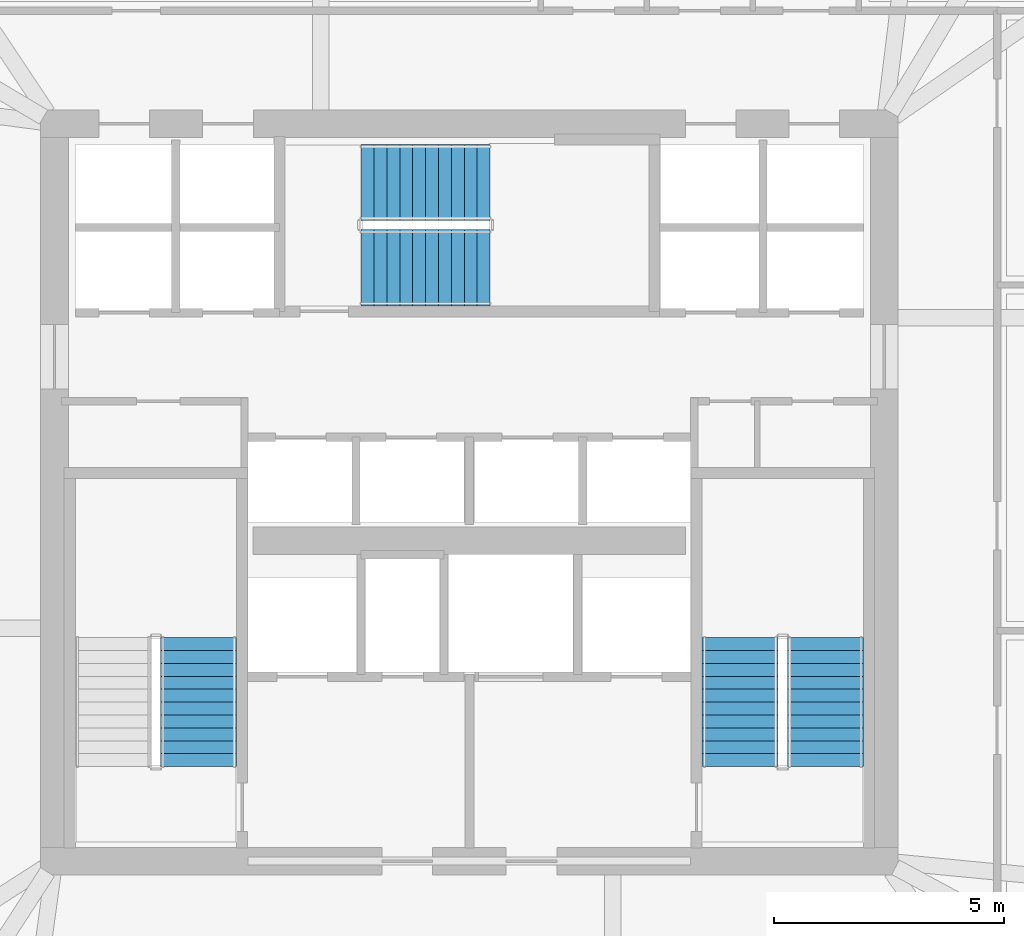
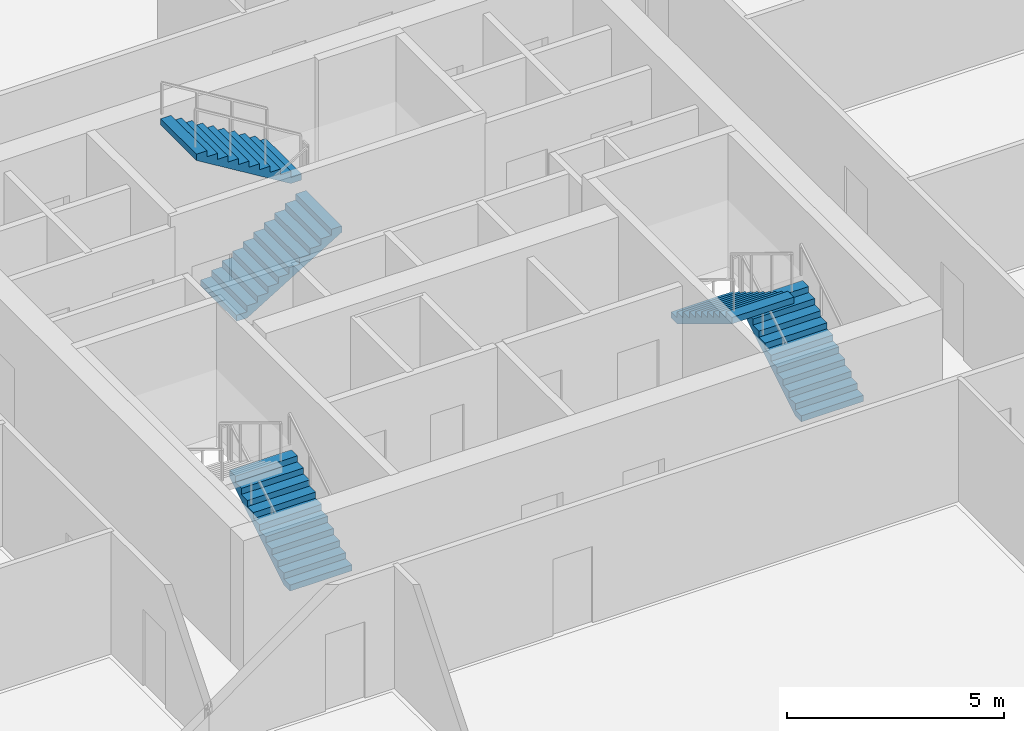
# One storey, part 28 of 33: 5 stair flights, 3 elements without a shape of their own.
"""IFC4 building model written with IfcOpenShell, lengths in metres."""

import ifcopenshell
import ifcopenshell.guid

model = None  # the IFC model being written
_history = None  # IfcOwnerHistory: only IFC2X3 demands one
_inside = {}  # id of a spatial element -> (the spatial element, [elements in it])
_under = {}  # id of a project, library or spatial element -> (it, [spatial elements below it])
_declared = {}  # id of a project -> (the project, [libraries it declares])
_typed = {}  # id of a type object -> (the type object, [elements of that type])
_made_of = {}  # id of a material, layer set ... -> (it, [elements and type objects made of it])


def new_model(schema):
    """Start an empty IFC model of exactly this schema.

    Asked for "IFC4X3", IfcOpenShell would pick the latest addendum, in which some entities
    have other attributes; the version numbers below select the first issue.
    IFC2X3 requires an IfcOwnerHistory on every rooted entity: one is made here for all.
    """
    global model, _history
    if schema == "IFC4X3":
        model = ifcopenshell.file(schema_version=(4, 3, 0, 0))
    else:
        model = ifcopenshell.file(schema=schema)
    _inside.clear()
    _under.clear()
    _declared.clear()
    _typed.clear()
    _made_of.clear()
    _history = None
    if model.schema == "IFC2X3":
        org = make("IfcOrganization", Name="unknown")
        user = make(
            "IfcPersonAndOrganization",
            ThePerson=make("IfcPerson", FamilyName="unknown"),
            TheOrganization=org,
        )
        app = make(
            "IfcApplication",
            ApplicationDeveloper=org,
            Version="unknown",
            ApplicationFullName="unknown",
            ApplicationIdentifier="unknown",
        )
        _history = make(
            "IfcOwnerHistory",
            OwningUser=user,
            OwningApplication=app,
            ChangeAction="ADDED",
            CreationDate=0,
        )
    return model


def make(cls, **values):
    """One entity of the class cls with the attributes given. An attribute that is None is left unset."""
    return model.create_entity(
        cls, **{name: value for name, value in values.items() if value is not None}
    )


def rooted(cls, **values):
    """An entity with a GlobalId (a new one), such as an element, a storey or a relation."""
    return make(cls, GlobalId=ifcopenshell.guid.new(), OwnerHistory=_history, **values)


def si_unit(unit_type, name, prefix=None):
    """IfcSIUnit, for example si_unit("LENGTHUNIT", "METRE", prefix="MILLI")."""
    return make("IfcSIUnit", UnitType=unit_type, Prefix=prefix, Name=name)


def assignment(units):
    """IfcUnitAssignment: the units of a project."""
    return None if units is None else make("IfcUnitAssignment", Units=units)


def point(xyz):
    """IfcCartesianPoint."""
    return None if xyz is None else make("IfcCartesianPoint", Coordinates=xyz)


def direction(xyz):
    """IfcDirection."""
    return None if xyz is None else make("IfcDirection", DirectionRatios=xyz)


def frame(location, z_axis=None, x_axis=None):
    """IfcAxis2Placement3D, a coordinate frame: its origin and axes. An axis left out is left unset."""
    return make(
        "IfcAxis2Placement3D",
        Location=point(location),
        Axis=direction(z_axis),
        RefDirection=direction(x_axis),
    )


def origin():
    """The frame at (0, 0, 0) with its axes left unset."""
    return frame((0.0, 0.0, 0.0))


def place(relative_to, where):
    """IfcLocalPlacement: puts the frame where relative to a parent placement (None: the world)."""
    return make(
        "IfcLocalPlacement", PlacementRelTo=relative_to, RelativePlacement=where
    )


def context(
    kind, dimensions, precision=None, world=None, true_north=None, identifier=None
):
    """IfcGeometricRepresentationContext, for example the 3D "Model" context."""
    return make(
        "IfcGeometricRepresentationContext",
        ContextIdentifier=identifier,
        ContextType=kind,
        CoordinateSpaceDimension=dimensions,
        Precision=precision,
        WorldCoordinateSystem=world,
        TrueNorth=true_north,
    )


def subcontext(parent, identifier, kind, view, scale=None):
    """IfcGeometricRepresentationSubContext, for example "Body" below "Model"."""
    return make(
        "IfcGeometricRepresentationSubContext",
        ContextIdentifier=identifier,
        ContextType=kind,
        ParentContext=parent,
        TargetScale=scale,
        TargetView=view,
    )


def project(units=None, contexts=None):
    """IfcProject with its units and contexts."""
    return rooted(
        "IfcProject",
        Name="project",
        RepresentationContexts=contexts,
        UnitsInContext=assignment(units),
    )


def spatial(cls, under=None, at=None, **own):
    """A site, building, storey or space (cls), placed at a placement, below another one or the project."""
    s = rooted(cls, ObjectPlacement=at, **own)
    if under is not None:
        _under.setdefault(under.id(), (under, []))[1].append(s)
    return s


def polyline(points):
    """IfcPolyline through the points."""
    return make("IfcPolyline", Points=[point(p) for p in points])


def outline(outer, holes=None, kind="AREA"):
    """IfcArbitraryClosedProfileDef: a profile drawn as a closed curve; with holes, ...WithVoids."""
    if holes is None:
        return make("IfcArbitraryClosedProfileDef", ProfileType=kind, OuterCurve=outer)
    return make(
        "IfcArbitraryProfileDefWithVoids",
        ProfileType=kind,
        OuterCurve=outer,
        InnerCurves=holes,
    )


def extrude(swept, where, along, depth):
    """IfcExtrudedAreaSolid: the profile swept, set in the frame where, extruded along a direction by depth."""
    return make(
        "IfcExtrudedAreaSolid",
        SweptArea=swept,
        Position=where,
        ExtrudedDirection=direction(along),
        Depth=depth,
    )


def shape(context_of_items, identifier, shape_type, items):
    """IfcShapeRepresentation: the items that make up one representation, for example the "Body"."""
    return make(
        "IfcShapeRepresentation",
        ContextOfItems=context_of_items,
        RepresentationIdentifier=identifier,
        RepresentationType=shape_type,
        Items=items,
    )


def material(Name=None, Category=None):
    """IfcMaterial."""
    return make("IfcMaterial", Name=Name, Category=Category)


def made_of(thing, what):
    """Note that an element or type object is made of a material, layer set ...; save() writes the relation."""
    if what is not None:
        _made_of.setdefault(what.id(), (what, []))[1].append(thing)
    return thing


def type_object(cls, material=None, **own):
    """A type object (cls), such as IfcWallType, which elements share."""
    return made_of(rooted(cls, **own), material)


def element(
    cls,
    number,
    at=None,
    inside=None,
    cuts=None,
    type_object=None,
    material=None,
    context=None,
    identifier="Body",
    shape_type=None,
    held_by="IfcProductDefinitionShape",
    body=None,
    shapes=None,
    **own,
):
    """One element of the class cls, such as IfcWall. Its Tag is "e" and its number.

    at: its placement. inside: the storey or other place that contains it. cuts: it is an
    opening in that element (IfcRelVoidsElement). A single representation is given by context,
    identifier, shape_type and body (its items); several are given by shapes. held_by: the class
    of the entity that holds the representations. save() writes the other relations.
    """
    e = rooted(cls, Tag="e%d" % number, ObjectPlacement=at, **own)
    if body is not None:
        shapes = [shape(context, identifier, shape_type, body)]
    if shapes is not None:
        e.Representation = make(held_by, Representations=shapes)
    if inside is not None:
        _inside.setdefault(inside.id(), (inside, []))[1].append(e)
    if cuts is not None:
        rooted(
            "IfcRelVoidsElement", RelatingBuildingElement=cuts, RelatedOpeningElement=e
        )
    if type_object is not None:
        _typed.setdefault(type_object.id(), (type_object, []))[1].append(e)
    return made_of(e, material)


def aggregate(whole, parts):
    """IfcRelAggregates: a whole, such as a stair, and the parts it consists of."""
    return rooted("IfcRelAggregates", RelatingObject=whole, RelatedObjects=parts)


def save(model, path):
    """Write the relations noted so far, then the file.

    IfcRelAggregates (storeys below a building ...), IfcRelContainedInSpatialStructure (elements
    in a storey), IfcRelDefinesByType, IfcRelAssociatesMaterial and IfcRelDeclares: one each for
    every whole, place, type object, material and project.
    """
    for whole, parts in _under.values():
        aggregate(whole, parts)
    for where, things in _inside.values():
        rooted(
            "IfcRelContainedInSpatialStructure",
            RelatedElements=things,
            RelatingStructure=where,
        )
    for kind, things in _typed.values():
        rooted("IfcRelDefinesByType", RelatedObjects=things, RelatingType=kind)
    for what, things in _made_of.values():
        rooted("IfcRelAssociatesMaterial", RelatedObjects=things, RelatingMaterial=what)
    for by, libraries in _declared.values():
        rooted("IfcRelDeclares", RelatingContext=by, RelatedDefinitions=libraries)
    model.write(path)


model = new_model("IFC4")

# Units and contexts
model_context = context("Model", 3, precision=1e-05, world=origin(), true_north=direction((0.0, 1.0)))
body_context = subcontext(model_context, "Body", "Model", "MODEL_VIEW")
ifc_project = project(units=[si_unit("LENGTHUNIT", "METRE"), si_unit("AREAUNIT", "SQUARE_METRE"), si_unit("VOLUMEUNIT", "CUBIC_METRE"), si_unit("PLANEANGLEUNIT", "RADIAN"), si_unit("MASSUNIT", "GRAM", prefix="KILO")], contexts=[model_context])

# Site, building, storey
site_placement = place(None, origin())
site = spatial("IfcSite", under=ifc_project, at=site_placement, CompositionType="ELEMENT")
building_placement = place(site_placement, origin())
building = spatial("IfcBuilding", under=site, at=building_placement, Name="Haldenkirk Collegiate Tower", CompositionType="ELEMENT")
storey_placement = place(building_placement, frame((0.0, 0.0, 58.949951171875)))
storey = spatial("IfcBuildingStorey", under=building, at=storey_placement, Name="L13", CompositionType="ELEMENT", Elevation=58.949951171875)

# Stair, stair flight
ifc_material = material(Name="Concrete f'c 40 MPa", Category="concrete")
stair_type = type_object("IfcStairType", Name="STR-DOGLEG-1650", PredefinedType="HALF_TURN_STAIR", material=ifc_material)
stair_1_placement = place(storey_placement, origin())
stair_1 = element("IfcStair", 1, at=stair_1_placement, inside=storey, type_object=stair_type, Name="L13 Core Exit Stair ST-1", PredefinedType="HALF_TURN_STAIR")
stair_flight_type = type_object("IfcStairFlightType", Name="STF-FLIGHT-1650", PredefinedType="STRAIGHT", material=ifc_material)
stair_flight_1_placement = place(storey_placement, frame((30.125, 20.050048828125, 0.0), z_axis=(0.0, 0.0, 1.0), x_axis=(0.0, 1.0, 0.0)))
stair_flight_1 = element("IfcStairFlight", 2, at=stair_flight_1_placement, type_object=stair_flight_type, Name="ST-1 flight 1", NumberOfRisers=11, NumberOfTreads=10, PredefinedType="STRAIGHT", RiserHeight=0.170454545, TreadLength=0.28, context=body_context, shape_type="SweptSolid", body=[
    extrude(outline(polyline([(0.0, 0.0), (0.0, 0.17041015625), (0.280029296875, 0.17041015625), (0.280029296875, 0.3408203125), (0.56005859375, 0.3408203125), (0.56005859375, 0.511474609375), (0.840087890625, 0.511474609375), (0.840087890625, 0.681884765625), (1.1201171875, 0.681884765625), (1.1201171875, 0.852294921875), (1.39990234375, 0.852294921875), (1.39990234375, 1.022705078125), (1.679931640625, 1.022705078125), (1.679931640625, 1.193115234375), (1.9599609375, 1.193115234375), (1.9599609375, 1.363525390625), (2.239990234375, 1.363525390625), (2.239990234375, 1.5341796875), (2.52001953125, 1.5341796875), (2.52001953125, 1.70458984375), (2.800048828125, 1.70458984375), (2.800048828125, 1.875), (2.800048828125, 1.529052734375), (0.288330078125, 0.0), (0.0, 0.0)])), frame((0.0, 0.824951171875, 0.0), z_axis=(0.0, -1.0, 0.0), x_axis=(1.0, 0.0, 0.0)), (0.0, 0.0, 1.0), 1.64990234375),
])
aggregate(stair_1, [stair_flight_1])

# Stair, stair flights
stair_2_placement = place(storey_placement, origin())
stair_2 = element("IfcStair", 3, at=stair_2_placement, inside=storey, type_object=stair_type, Name="L13 Core Exit Stair ST-2", PredefinedType="HALF_TURN_STAIR")
stair_flight_2_placement = place(storey_placement, frame((43.72509765625, 20.050048828125, 0.0), z_axis=(0.0, 0.0, 1.0), x_axis=(0.0, 1.0, 0.0)))
stair_flight_2 = element("IfcStairFlight", 4, at=stair_flight_2_placement, type_object=stair_flight_type, Name="ST-2 flight 1", NumberOfRisers=11, NumberOfTreads=10, PredefinedType="STRAIGHT", RiserHeight=0.170454545, TreadLength=0.28, context=body_context, shape_type="SweptSolid", body=[
    extrude(outline(polyline([(0.0, 0.0), (0.0, 0.17041015625), (0.280029296875, 0.17041015625), (0.280029296875, 0.3408203125), (0.56005859375, 0.3408203125), (0.56005859375, 0.511474609375), (0.840087890625, 0.511474609375), (0.840087890625, 0.681884765625), (1.1201171875, 0.681884765625), (1.1201171875, 0.852294921875), (1.39990234375, 0.852294921875), (1.39990234375, 1.022705078125), (1.679931640625, 1.022705078125), (1.679931640625, 1.193115234375), (1.9599609375, 1.193115234375), (1.9599609375, 1.363525390625), (2.239990234375, 1.363525390625), (2.239990234375, 1.5341796875), (2.52001953125, 1.5341796875), (2.52001953125, 1.70458984375), (2.800048828125, 1.70458984375), (2.800048828125, 1.875), (2.800048828125, 1.529052734375), (0.288330078125, 0.0), (0.0, 0.0)])), frame((0.0, 0.824951171875, 0.0), z_axis=(0.0, -1.0, 0.0), x_axis=(1.0, 0.0, 0.0)), (0.0, 0.0, 1.0), 1.64990234375),
])
stair_flight_3_placement = place(storey_placement, frame((41.875, 22.85009765625, 1.875), z_axis=(0.0, 0.0, 1.0), x_axis=(0.0, -1.0, 0.0)))
stair_flight_3 = element("IfcStairFlight", 5, at=stair_flight_3_placement, type_object=stair_flight_type, Name="ST-2 flight 2", NumberOfRisers=11, NumberOfTreads=10, PredefinedType="STRAIGHT", RiserHeight=0.170454545, TreadLength=0.28, context=body_context, shape_type="SweptSolid", body=[
    extrude(outline(polyline([(0.0, 0.0), (0.0, 0.17041015625), (0.280029296875, 0.17041015625), (0.280029296875, 0.3408203125), (0.56005859375, 0.3408203125), (0.56005859375, 0.511474609375), (0.840087890625, 0.511474609375), (0.840087890625, 0.681884765625), (1.1201171875, 0.681884765625), (1.1201171875, 0.852294921875), (1.39990234375, 0.852294921875), (1.39990234375, 1.022705078125), (1.679931640625, 1.022705078125), (1.679931640625, 1.193115234375), (1.9599609375, 1.193115234375), (1.9599609375, 1.363525390625), (2.239990234375, 1.363525390625), (2.239990234375, 1.5341796875), (2.52001953125, 1.5341796875), (2.52001953125, 1.70458984375), (2.800048828125, 1.70458984375), (2.800048828125, 1.875), (2.800048828125, 1.529052734375), (0.288330078125, 0.0), (0.0, 0.0)])), frame((0.0, 0.824951171875, 0.0), z_axis=(0.0, -1.0, 0.0), x_axis=(1.0, 0.0, 0.0)), (0.0, 0.0, 1.0), 1.64990234375),
])
aggregate(stair_2, [stair_flight_2, stair_flight_3])

stair_3_placement = place(storey_placement, origin())
stair_3 = element("IfcStair", 6, at=stair_3_placement, inside=storey, type_object=stair_type, Name="L13 Core Exit Stair ST-3", PredefinedType="HALF_TURN_STAIR")
stair_flight_4_placement = place(storey_placement, frame((33.64990234375, 30.875, 0.0), z_axis=(0.0, 0.0, 1.0), x_axis=(1.0, 0.0, 0.0)))
stair_flight_4 = element("IfcStairFlight", 7, at=stair_flight_4_placement, type_object=stair_flight_type, Name="ST-3 flight 1", NumberOfRisers=11, NumberOfTreads=10, PredefinedType="STRAIGHT", RiserHeight=0.170454545, TreadLength=0.28, context=body_context, shape_type="SweptSolid", body=[
    extrude(outline(polyline([(0.0, 0.0), (0.0, 0.17041015625), (0.280029296875, 0.17041015625), (0.280029296875, 0.3408203125), (0.56005859375, 0.3408203125), (0.56005859375, 0.511474609375), (0.840087890625, 0.511474609375), (0.840087890625, 0.681884765625), (1.1201171875, 0.681884765625), (1.1201171875, 0.852294921875), (1.39990234375, 0.852294921875), (1.39990234375, 1.022705078125), (1.679931640625, 1.022705078125), (1.679931640625, 1.193115234375), (1.9599609375, 1.193115234375), (1.9599609375, 1.363525390625), (2.239990234375, 1.363525390625), (2.239990234375, 1.5341796875), (2.52001953125, 1.5341796875), (2.52001953125, 1.70458984375), (2.800048828125, 1.70458984375), (2.800048828125, 1.875), (2.800048828125, 1.529052734375), (0.288330078125, 0.0), (0.0, 0.0)])), frame((0.0, 0.824951171875, 0.0), z_axis=(0.0, -1.0, 0.0), x_axis=(1.0, 0.0, 0.0)), (0.0, 0.0, 1.0), 1.64990234375),
])
stair_flight_5_placement = place(storey_placement, frame((36.449951171875, 32.72509765625, 1.875), z_axis=(0.0, 0.0, 1.0), x_axis=(-1.0, 0.0, 0.0)))
stair_flight_5 = element("IfcStairFlight", 8, at=stair_flight_5_placement, type_object=stair_flight_type, Name="ST-3 flight 2", NumberOfRisers=11, NumberOfTreads=10, PredefinedType="STRAIGHT", RiserHeight=0.170454545, TreadLength=0.28, context=body_context, shape_type="SweptSolid", body=[
    extrude(outline(polyline([(0.0, 0.0), (0.0, 0.17041015625), (0.280029296875, 0.17041015625), (0.280029296875, 0.3408203125), (0.56005859375, 0.3408203125), (0.56005859375, 0.511474609375), (0.840087890625, 0.511474609375), (0.840087890625, 0.681884765625), (1.1201171875, 0.681884765625), (1.1201171875, 0.852294921875), (1.39990234375, 0.852294921875), (1.39990234375, 1.022705078125), (1.679931640625, 1.022705078125), (1.679931640625, 1.193115234375), (1.9599609375, 1.193115234375), (1.9599609375, 1.363525390625), (2.239990234375, 1.363525390625), (2.239990234375, 1.5341796875), (2.52001953125, 1.5341796875), (2.52001953125, 1.70458984375), (2.800048828125, 1.70458984375), (2.800048828125, 1.875), (2.800048828125, 1.529052734375), (0.288330078125, 0.0), (0.0, 0.0)])), frame((0.0, 0.824951171875, 0.0), z_axis=(0.0, -1.0, 0.0), x_axis=(1.0, 0.0, 0.0)), (0.0, 0.0, 1.0), 1.64990234375),
])
aggregate(stair_3, [stair_flight_4, stair_flight_5])

save(model, "model.ifc")
